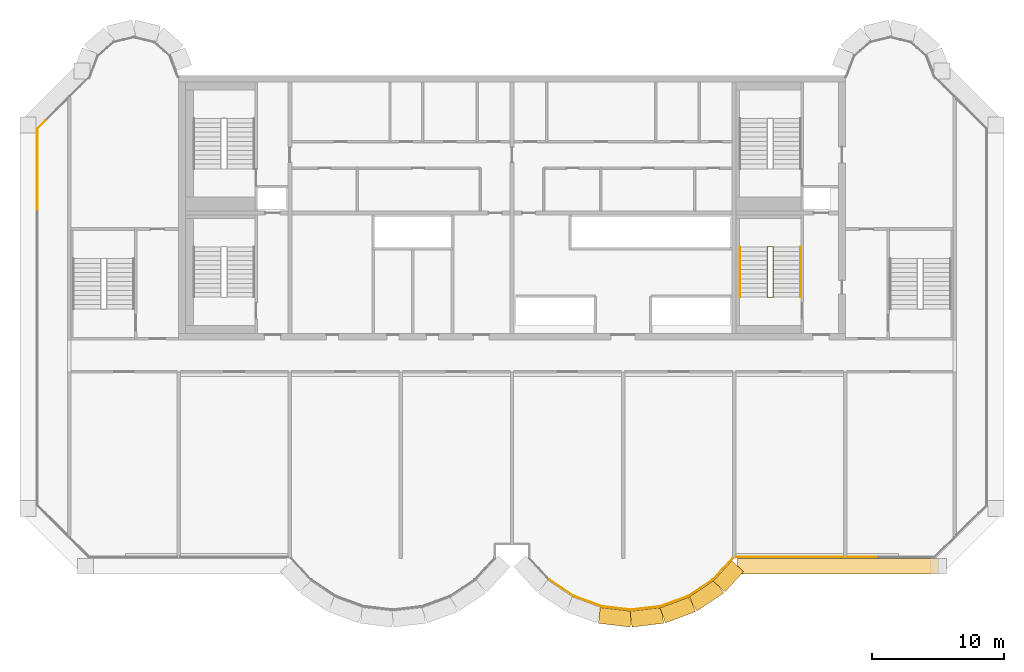
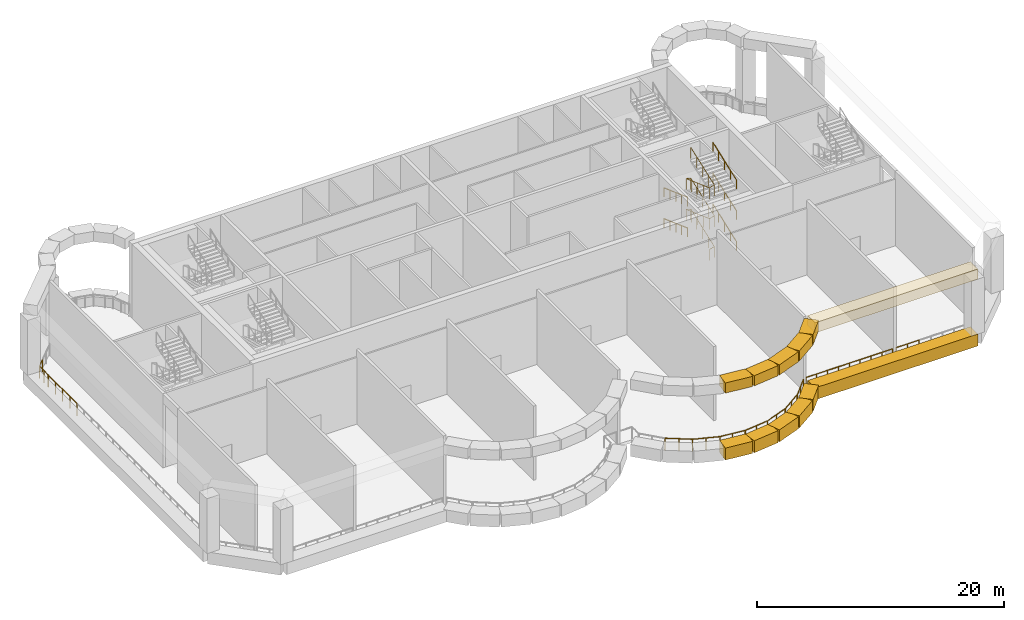
# One storey, part 8 of 11: 21 railings, 12 coverings.
"""IFC4 building model written with IfcOpenShell, lengths in metres."""

from ifc_helpers import new_model, si_unit, direction, frame, origin, origin_2d, place, context, subcontext, project, spatial, rectangle, circle, extrude, source, transform, mapped, material, type_object, element, save


model = new_model("IFC4")

# Units and contexts
model_context = context("Model", 3, precision=1e-05, world=origin(), true_north=direction((0.0, 1.0)))
body_context = subcontext(model_context, "Body", "Model", "MODEL_VIEW")
ifc_project = project(units=[si_unit("LENGTHUNIT", "METRE"), si_unit("AREAUNIT", "SQUARE_METRE"), si_unit("VOLUMEUNIT", "CUBIC_METRE"), si_unit("PLANEANGLEUNIT", "RADIAN"), si_unit("MASSUNIT", "GRAM", prefix="KILO")], contexts=[model_context])

# Site, building, storey
site_placement = place(None, origin())
site = spatial("IfcSite", under=ifc_project, at=site_placement, CompositionType="ELEMENT")
building_placement = place(site_placement, origin())
building = spatial("IfcBuilding", under=site, at=building_placement, Name="Vanashikhar Sky Hotel", CompositionType="ELEMENT")
storey_placement = place(building_placement, frame((0.0, 0.0, 270.10009765625)))
storey = spatial("IfcBuildingStorey", under=building, at=storey_placement, Name="L65", CompositionType="ELEMENT", Elevation=270.10009765625)

# Coverings
ifc_material_1 = material(Name="Concrete M60 dark", Category="concrete")
covering_type = type_object("IfcCoveringType", Name="Wind floor portal frame", PredefinedType="CLADDING", material=ifc_material_1)
shared_shape_1 = source(origin(), body_context, "Body", "SweptSolid", [
    extrude(rectangle(XDim=15.184326171875, YDim=1.199951171875, at=origin_2d()), origin(), (0.0, 0.0, 1.0), 1.0),
])
covering_1_placement = place(storey_placement, frame((75.056396484375, 4.89990234375, 6.31982421875), z_axis=(0.0, 0.0, 1.0), x_axis=(1.0, 0.0, 0.0)))
element("IfcCovering", 1, at=covering_1_placement, inside=storey, type_object=covering_type, Name="Portal frame head", PredefinedType="CLADDING", context=body_context, shape_type="MappedRepresentation", body=[
    mapped(shared_shape_1, transform((0.0, 0.0, 0.0), scale=1.0)),
])
shared_shape_2 = source(origin(), body_context, "Body", "SweptSolid", [
    extrude(rectangle(XDim=15.184326171875, YDim=1.199951171875, at=origin_2d()), origin(), (0.0, 0.0, 1.0), 1.179931640625),
])
covering_2_placement = place(storey_placement, frame((75.056396484375, 4.89990234375, -0.2802734375), z_axis=(0.0, 0.0, 1.0), x_axis=(1.0, 0.0, 0.0)))
element("IfcCovering", 2, at=covering_2_placement, inside=storey, type_object=covering_type, Name="Portal frame sill", PredefinedType="CLADDING", context=body_context, shape_type="MappedRepresentation", body=[
    mapped(shared_shape_2, transform((0.0, 0.0, 0.0), scale=1.0)),
])
shared_shape_3 = source(origin(), body_context, "Body", "SweptSolid", [
    extrude(rectangle(XDim=2.0771484375, YDim=1.199951171875, at=origin_2d()), origin(), (0.0, 0.0, 1.0), 1.0),
])
covering_3_placement = place(storey_placement, frame((66.7626953125, 4.134033203125, 6.31982421875), z_axis=(0.0, 0.0, 1.0), x_axis=(0.67534568005, 0.737501330465, 0.0)))
element("IfcCovering", 3, at=covering_3_placement, inside=storey, type_object=covering_type, Name="Portal frame head", PredefinedType="CLADDING", context=body_context, shape_type="MappedRepresentation", body=[
    mapped(shared_shape_3, transform((0.0, 0.0, 0.0), scale=1.0)),
])
shared_shape_4 = source(origin(), body_context, "Body", "SweptSolid", [
    extrude(rectangle(XDim=2.0771484375, YDim=1.199951171875, at=origin_2d()), origin(), (0.0, 0.0, 1.0), 1.179931640625),
])
covering_4_placement = place(storey_placement, frame((66.7626953125, 4.134033203125, -0.2802734375), z_axis=(0.0, 0.0, 1.0), x_axis=(0.67534568005, 0.737501330465, 0.0)))
element("IfcCovering", 4, at=covering_4_placement, inside=storey, type_object=covering_type, Name="Portal frame sill", PredefinedType="CLADDING", context=body_context, shape_type="MappedRepresentation", body=[
    mapped(shared_shape_4, transform((0.0, 0.0, 0.0), scale=1.0)),
])
shared_shape_5 = source(origin(), body_context, "Body", "SweptSolid", [
    extrude(rectangle(XDim=2.413818359375, YDim=1.199951171875, at=origin_2d()), origin(), (0.0, 0.0, 1.0), 1.0),
])
for number, where, z_axis, x_axis, name in (
    (5, (62.92724609375, 1.6005859375, 6.31982421875), (0.0, 0.0, 1.0), (0.937531182424, 0.347901253208, 0.0), "Portal frame head"),
    (6, (65.06005859375, 2.694091796875, 6.31982421875), (0.0, 0.0, 1.0), (0.829603213612, 0.558353389857, 0.0), "Portal frame head"),
):
    element("IfcCovering", number, at=place(storey_placement, frame(where, z_axis=z_axis, x_axis=x_axis)), inside=storey, type_object=covering_type, Name=name, PredefinedType="CLADDING", context=body_context, shape_type="MappedRepresentation", body=[
        mapped(shared_shape_5, transform((0.0, 0.0, 0.0), scale=1.0)),
    ])
shared_shape_6 = source(origin(), body_context, "Body", "SweptSolid", [
    extrude(rectangle(XDim=2.413818359375, YDim=1.199951171875, at=origin_2d()), origin(), (0.0, 0.0, 1.0), 1.179931640625),
])
for number, where, z_axis, x_axis, name in (
    (7, (62.92724609375, 1.6005859375, -0.2802734375), (0.0, 0.0, 1.0), (0.937531182424, 0.347901253208, 0.0), "Portal frame sill"),
    (8, (65.06005859375, 2.694091796875, -0.2802734375), (0.0, 0.0, 1.0), (0.829603213612, 0.558353389857, 0.0), "Portal frame sill"),
):
    element("IfcCovering", number, at=place(storey_placement, frame(where, z_axis=z_axis, x_axis=x_axis)), inside=storey, type_object=covering_type, Name=name, PredefinedType="CLADDING", context=body_context, shape_type="MappedRepresentation", body=[
        mapped(shared_shape_6, transform((0.0, 0.0, 0.0), scale=1.0)),
    ])
shared_shape_7 = source(origin(), body_context, "Body", "SweptSolid", [
    extrude(rectangle(XDim=2.41259765625, YDim=1.199951171875, at=origin_2d()), origin(), (0.0, 0.0, 1.0), 1.0),
])
for number, where, z_axis, x_axis, name in (
    (9, (58.2021484375, 1.0380859375, 6.31982421875), (0.0, 0.0, 1.0), (0.993008838731, -0.118040019495, 0.0), "Portal frame head"),
    (10, (60.597900390625, 1.0380859375, 6.31982421875), (0.0, 0.0, 1.0), (0.993008838731, 0.118040019495, 0.0), "Portal frame head"),
):
    element("IfcCovering", number, at=place(storey_placement, frame(where, z_axis=z_axis, x_axis=x_axis)), inside=storey, type_object=covering_type, Name=name, PredefinedType="CLADDING", context=body_context, shape_type="MappedRepresentation", body=[
        mapped(shared_shape_7, transform((0.0, 0.0, 0.0), scale=1.0)),
    ])
shared_shape_8 = source(origin(), body_context, "Body", "SweptSolid", [
    extrude(rectangle(XDim=2.41259765625, YDim=1.199951171875, at=origin_2d()), origin(), (0.0, 0.0, 1.0), 1.179931640625),
])
for number, where, z_axis, x_axis, name in (
    (11, (58.2021484375, 1.0380859375, -0.2802734375), (0.0, 0.0, 1.0), (0.993008838731, -0.118040019495, 0.0), "Portal frame sill"),
    (12, (60.597900390625, 1.0380859375, -0.2802734375), (0.0, 0.0, 1.0), (0.993008838731, 0.118040019495, 0.0), "Portal frame sill"),
):
    element("IfcCovering", number, at=place(storey_placement, frame(where, z_axis=z_axis, x_axis=x_axis)), inside=storey, type_object=covering_type, Name=name, PredefinedType="CLADDING", context=body_context, shape_type="MappedRepresentation", body=[
        mapped(shared_shape_8, transform((0.0, 0.0, 0.0), scale=1.0)),
    ])

# Railings
ifc_material_2 = material(Name="Stainless steel 316", Category="steel")
railing_type_1 = type_object("IfcRailingType", Name="Open edge guard 1200", PredefinedType="GUARDRAIL", material=ifc_material_2)
shared_shape_9 = source(origin(), body_context, "Body", "SweptSolid", [
    extrude(circle(Radius=0.02392578125, at=origin_2d()), frame((0.0, 0.0, 1.17578125), z_axis=(0.0, 1.0, 0.0), x_axis=(-1.0, 0.0, 0.0)), (0.0, 0.0, 1.0), 2.324462890625),
    extrude(circle(Radius=0.02099609375, at=origin_2d()), origin(), (0.0, 0.0, 1.0), 1.15185546875),
    extrude(circle(Radius=0.02099609375, at=origin_2d()), frame((0.0, 1.162109375, 0.0)), (0.0, 0.0, 1.0), 1.15185546875),
    extrude(circle(Radius=0.02099609375, at=origin_2d()), frame((0.0, 2.324462890625, 0.0)), (0.0, 0.0, 1.0), 1.15185546875),
])
railing_1_placement = place(storey_placement, frame((14.5, 34.209716796875, 0.0)))
element("IfcRailing", 13, at=railing_1_placement, inside=storey, type_object=railing_type_1, Name="Open edge guard", PredefinedType="GUARDRAIL", context=body_context, shape_type="MappedRepresentation", body=[
    mapped(shared_shape_9, transform((0.0, 0.0, 0.0), scale=1.0)),
])
shared_shape_10 = source(origin(), body_context, "Body", "SweptSolid", [
    extrude(circle(Radius=0.02392578125, at=origin_2d()), frame((0.0, 0.0, 1.17578125), z_axis=(0.0, 1.0, 0.0), x_axis=(-1.0, 0.0, 0.0)), (0.0, 0.0, 1.0), 2.32421875),
    extrude(circle(Radius=0.02099609375, at=origin_2d()), origin(), (0.0, 0.0, 1.0), 1.15185546875),
    extrude(circle(Radius=0.02099609375, at=origin_2d()), frame((0.0, 1.162109375, 0.0)), (0.0, 0.0, 1.0), 1.15185546875),
    extrude(circle(Radius=0.02099609375, at=origin_2d()), frame((0.0, 2.32421875, 0.0)), (0.0, 0.0, 1.0), 1.15185546875),
])
railing_2_placement = place(storey_placement, frame((14.5, 31.885498046875, 0.0)))
element("IfcRailing", 14, at=railing_2_placement, inside=storey, type_object=railing_type_1, Name="Open edge guard", PredefinedType="GUARDRAIL", context=body_context, shape_type="MappedRepresentation", body=[
    mapped(shared_shape_10, transform((0.0, 0.0, 0.0), scale=1.0)),
])
shared_shape_11 = source(origin(), body_context, "Body", "SweptSolid", [
    extrude(circle(Radius=0.02392578125, at=origin_2d()), frame((0.0, 0.0, 1.17578125), z_axis=(0.0, 1.0, 0.0), x_axis=(-1.0, 0.0, 0.0)), (0.0, 0.0, 1.0), 1.42431640625),
    extrude(circle(Radius=0.02392578125, at=origin_2d()), frame((0.0, 1.42431640625, 1.17578125), z_axis=(0.707106781187, 0.707106781187, 0.0), x_axis=(-0.707106781187, 0.707106781187, 0.0)), (0.0, 0.0, 1.0), 0.900146484375),
    extrude(circle(Radius=0.02099609375, at=origin_2d()), origin(), (0.0, 0.0, 1.0), 1.15185546875),
    extrude(circle(Radius=0.02099609375, at=origin_2d()), frame((0.0, 0.712158203125, 0.0)), (0.0, 0.0, 1.0), 1.15185546875),
    extrude(circle(Radius=0.02099609375, at=origin_2d()), frame((0.0, 1.42431640625, 0.0)), (0.0, 0.0, 1.0), 1.15185546875),
    extrude(circle(Radius=0.02099609375, at=origin_2d()), frame((0.636474609375, 2.060791015625, 0.0)), (0.0, 0.0, 1.0), 1.15185546875),
])
railing_3_placement = place(storey_placement, frame((14.5, 36.5341796875, 0.0)))
element("IfcRailing", 15, at=railing_3_placement, inside=storey, type_object=railing_type_1, Name="Open edge guard", PredefinedType="GUARDRAIL", context=body_context, shape_type="MappedRepresentation", body=[
    mapped(shared_shape_11, transform((0.0, 0.0, 0.0), scale=1.0)),
])
shared_shape_12 = source(origin(), body_context, "Body", "SweptSolid", [
    extrude(circle(Radius=0.02392578125, at=origin_2d()), frame((0.0, 0.0, 1.17578125), z_axis=(-1.0, 0.0, 0.0), x_axis=(0.0, -1.0, 0.0)), (0.0, 0.0, 1.0), 2.176513671875),
    extrude(circle(Radius=0.02099609375, at=origin_2d()), origin(), (0.0, 0.0, 1.0), 1.15185546875),
    extrude(circle(Radius=0.02099609375, at=origin_2d()), frame((-1.08837890625, 0.0, 0.0)), (0.0, 0.0, 1.0), 1.15185546875),
    extrude(circle(Radius=0.02099609375, at=origin_2d()), frame((-2.176513671875, 0.0, 0.0)), (0.0, 0.0, 1.0), 1.15185546875),
])
railing_4_placement = place(storey_placement, frame((77.921630859375, 5.60009765625, 0.0)))
element("IfcRailing", 16, at=railing_4_placement, inside=storey, type_object=railing_type_1, Name="Open edge guard", PredefinedType="GUARDRAIL", context=body_context, shape_type="MappedRepresentation", body=[
    mapped(shared_shape_12, transform((0.0, 0.0, 0.0), scale=1.0)),
])
shared_shape_13 = source(origin(), body_context, "Body", "SweptSolid", [
    extrude(circle(Radius=0.02392578125, at=origin_2d()), frame((0.0, 0.0, 1.17578125), z_axis=(-1.0, 0.0, 0.0), x_axis=(0.0, -1.0, 0.0)), (0.0, 0.0, 1.0), 2.027587890625),
    extrude(circle(Radius=0.02099609375, at=origin_2d()), origin(), (0.0, 0.0, 1.0), 1.15185546875),
    extrude(circle(Radius=0.02099609375, at=origin_2d()), frame((-1.013671875, 0.0, 0.0)), (0.0, 0.0, 1.0), 1.15185546875),
    extrude(circle(Radius=0.02099609375, at=origin_2d()), frame((-2.027587890625, 0.0, 0.0)), (0.0, 0.0, 1.0), 1.15185546875),
])
for number, where, name in (
    (17, (75.455078125, 5.60009765625, 0.0), "Open edge guard"),
    (18, (73.427490234375, 5.60009765625, 0.0), "Open edge guard"),
    (19, (69.37255859375, 5.60009765625, 0.0), "Open edge guard"),
):
    element("IfcRailing", number, at=place(storey_placement, frame(where)), inside=storey, type_object=railing_type_1, Name=name, PredefinedType="GUARDRAIL", context=body_context, shape_type="MappedRepresentation", body=[
        mapped(shared_shape_13, transform((0.0, 0.0, 0.0), scale=1.0)),
    ])
shared_shape_14 = source(origin(), body_context, "Body", "SweptSolid", [
    extrude(circle(Radius=0.02392578125, at=origin_2d()), frame((0.0, 0.0, 1.17578125), z_axis=(-1.0, 0.0, 0.0), x_axis=(0.0, -1.0, 0.0)), (0.0, 0.0, 1.0), 2.02734375),
    extrude(circle(Radius=0.02099609375, at=origin_2d()), origin(), (0.0, 0.0, 1.0), 1.15185546875),
    extrude(circle(Radius=0.02099609375, at=origin_2d()), frame((-1.013671875, 0.0, 0.0)), (0.0, 0.0, 1.0), 1.15185546875),
    extrude(circle(Radius=0.02099609375, at=origin_2d()), frame((-2.02734375, 0.0, 0.0)), (0.0, 0.0, 1.0), 1.15185546875),
])
railing_5_placement = place(storey_placement, frame((71.39990234375, 5.60009765625, 0.0)))
element("IfcRailing", 20, at=railing_5_placement, inside=storey, type_object=railing_type_1, Name="Open edge guard", PredefinedType="GUARDRAIL", context=body_context, shape_type="MappedRepresentation", body=[
    mapped(shared_shape_14, transform((0.0, 0.0, 0.0), scale=1.0)),
])
shared_shape_15 = source(origin(), body_context, "Body", "SweptSolid", [
    extrude(circle(Radius=0.02392578125, at=origin_2d()), frame((0.0, 0.0, 1.17578125), z_axis=(-0.675385994332, -0.737464411792, 0.0), x_axis=(0.737464411792, -0.675385994332, 0.0)), (0.0, 0.0, 1.0), 2.1552734375),
    extrude(circle(Radius=0.02392578125, at=origin_2d()), frame((-1.45556640625, -1.58935546875, 1.17578125), z_axis=(-0.830543991919, -0.556953029875, 0.0), x_axis=(0.556953029875, -0.830543991919, 0.0)), (0.0, 0.0, 1.0), 0.074951171875),
    extrude(circle(Radius=0.02099609375, at=origin_2d()), origin(), (0.0, 0.0, 1.0), 1.15185546875),
    extrude(circle(Radius=0.02099609375, at=origin_2d()), frame((-0.727783203125, -0.794677734375, 0.0)), (0.0, 0.0, 1.0), 1.15185546875),
    extrude(circle(Radius=0.02099609375, at=origin_2d()), frame((-1.45556640625, -1.58935546875, 0.0)), (0.0, 0.0, 1.0), 1.15185546875),
    extrude(circle(Radius=0.02099609375, at=origin_2d()), frame((-1.517822265625, -1.631103515625, 0.0)), (0.0, 0.0, 1.0), 1.15185546875),
])
railing_6_placement = place(storey_placement, frame((67.056884765625, 5.49169921875, 0.0)))
element("IfcRailing", 21, at=railing_6_placement, inside=storey, type_object=railing_type_1, Name="Open edge guard", PredefinedType="GUARDRAIL", context=body_context, shape_type="MappedRepresentation", body=[
    mapped(shared_shape_15, transform((0.0, 0.0, 0.0), scale=1.0)),
])
shared_shape_16 = source(origin(), body_context, "Body", "SweptSolid", [
    extrude(circle(Radius=0.02392578125, at=origin_2d()), frame((0.0, 0.0, 1.17578125), z_axis=(-0.829586746391, -0.558377856127, 0.0), x_axis=(0.558377856127, -0.829586746391, 0.0)), (0.0, 0.0, 1.0), 2.172119140625),
    extrude(circle(Radius=0.02392578125, at=origin_2d()), frame((-1.802001953125, -1.212890625, 1.17578125), z_axis=(-0.936675509308, -0.350198501228, 0.0), x_axis=(0.350198501228, -0.936675509308, 0.0)), (0.0, 0.0, 1.0), 0.057861328125),
    extrude(circle(Radius=0.02099609375, at=origin_2d()), origin(), (0.0, 0.0, 1.0), 1.15185546875),
    extrude(circle(Radius=0.02099609375, at=origin_2d()), frame((-0.90087890625, -0.6064453125, 0.0)), (0.0, 0.0, 1.0), 1.15185546875),
    extrude(circle(Radius=0.02099609375, at=origin_2d()), frame((-1.802001953125, -1.212890625, 0.0)), (0.0, 0.0, 1.0), 1.15185546875),
    extrude(circle(Radius=0.02099609375, at=origin_2d()), frame((-1.856201171875, -1.233154296875, 0.0)), (0.0, 0.0, 1.0), 1.15185546875),
])
railing_7_placement = place(storey_placement, frame((65.5390625, 3.860595703125, 0.0)))
element("IfcRailing", 22, at=railing_7_placement, inside=storey, type_object=railing_type_1, Name="Open edge guard", PredefinedType="GUARDRAIL", context=body_context, shape_type="MappedRepresentation", body=[
    mapped(shared_shape_16, transform((0.0, 0.0, 0.0), scale=1.0)),
])
shared_shape_17 = source(origin(), body_context, "Body", "SweptSolid", [
    extrude(circle(Radius=0.02392578125, at=origin_2d()), frame((0.0, 0.0, 1.17578125), z_axis=(-0.937556246684, -0.347833702082, 0.0), x_axis=(0.347833702082, -0.937556246684, 0.0)), (0.0, 0.0, 1.0), 2.189208984375),
    extrude(circle(Radius=0.02392578125, at=origin_2d()), frame((-2.052490234375, -0.761474609375, 1.17578125), z_axis=(-0.992904944271, -0.118910771769, 0.0), x_axis=(0.118910771769, -0.992904944271, 0.0)), (0.0, 0.0, 1.0), 0.041015625),
    extrude(circle(Radius=0.02099609375, at=origin_2d()), origin(), (0.0, 0.0, 1.0), 1.15185546875),
    extrude(circle(Radius=0.02099609375, at=origin_2d()), frame((-1.0263671875, -0.380859375, 0.0)), (0.0, 0.0, 1.0), 1.15185546875),
    extrude(circle(Radius=0.02099609375, at=origin_2d()), frame((-2.052490234375, -0.761474609375, 0.0)), (0.0, 0.0, 1.0), 1.15185546875),
    extrude(circle(Radius=0.02099609375, at=origin_2d()), frame((-2.09326171875, -0.766357421875, 0.0)), (0.0, 0.0, 1.0), 1.15185546875),
])
railing_8_placement = place(storey_placement, frame((63.682861328125, 2.62744140625, 0.0)))
element("IfcRailing", 23, at=railing_8_placement, inside=storey, type_object=railing_type_1, Name="Open edge guard", PredefinedType="GUARDRAIL", context=body_context, shape_type="MappedRepresentation", body=[
    mapped(shared_shape_17, transform((0.0, 0.0, 0.0), scale=1.0)),
])
shared_shape_18 = source(origin(), body_context, "Body", "SweptSolid", [
    extrude(circle(Radius=0.02392578125, at=origin_2d()), frame((0.0, 0.0, 1.17578125), z_axis=(-0.99299786329, -0.118132313539, 0.0), x_axis=(0.118132313539, -0.99299786329, 0.0)), (0.0, 0.0, 1.0), 2.205078125),
    extrude(circle(Radius=0.02392578125, at=origin_2d()), frame((-2.189697265625, -0.260498046875, 1.17578125), z_axis=(-0.991818022317, 0.127659745447, 0.0), x_axis=(-0.127659745447, -0.991818022317, 0.0)), (0.0, 0.0, 1.0), 0.02490234375),
    extrude(circle(Radius=0.02099609375, at=origin_2d()), origin(), (0.0, 0.0, 1.0), 1.15185546875),
    extrude(circle(Radius=0.02099609375, at=origin_2d()), frame((-1.0947265625, -0.13037109375, 0.0)), (0.0, 0.0, 1.0), 1.15185546875),
    extrude(circle(Radius=0.02099609375, at=origin_2d()), frame((-2.189697265625, -0.260498046875, 0.0)), (0.0, 0.0, 1.0), 1.15185546875),
    extrude(circle(Radius=0.02099609375, at=origin_2d()), frame((-2.21435546875, -0.25732421875, 0.0)), (0.0, 0.0, 1.0), 1.15185546875),
])
railing_9_placement = place(storey_placement, frame((61.589599609375, 1.861083984375, 0.0)))
element("IfcRailing", 24, at=railing_9_placement, inside=storey, type_object=railing_type_1, Name="Open edge guard", PredefinedType="GUARDRAIL", context=body_context, shape_type="MappedRepresentation", body=[
    mapped(shared_shape_18, transform((0.0, 0.0, 0.0), scale=1.0)),
])
shared_shape_19 = source(origin(), body_context, "Body", "SweptSolid", [
    extrude(circle(Radius=0.02392578125, at=origin_2d()), frame((0.0, 0.0, 1.17578125), z_axis=(-0.99300730818, 0.118052894508, 0.0), x_axis=(-0.118052894508, -0.99300730818, 0.0)), (0.0, 0.0, 1.0), 2.22119140625),
    extrude(circle(Radius=0.02392578125, at=origin_2d()), frame((-2.20556640625, 0.26220703125, 1.17578125), z_axis=(-0.945945945946, 0.324324324324, 0.0), x_axis=(-0.324324324324, -0.945945945946, 0.0)), (0.0, 0.0, 1.0), 0.009033203125),
    extrude(circle(Radius=0.02099609375, at=origin_2d()), origin(), (0.0, 0.0, 1.0), 1.15185546875),
    extrude(circle(Radius=0.02099609375, at=origin_2d()), frame((-1.102783203125, 0.131103515625, 0.0)), (0.0, 0.0, 1.0), 1.15185546875),
    extrude(circle(Radius=0.02099609375, at=origin_2d()), frame((-2.20556640625, 0.26220703125, 0.0)), (0.0, 0.0, 1.0), 1.15185546875),
    extrude(circle(Radius=0.02099609375, at=origin_2d()), frame((-2.214111328125, 0.26513671875, 0.0)), (0.0, 0.0, 1.0), 1.15185546875),
])
railing_10_placement = place(storey_placement, frame((59.375244140625, 1.603759765625, 0.0)))
element("IfcRailing", 25, at=railing_10_placement, inside=storey, type_object=railing_type_1, Name="Open edge guard", PredefinedType="GUARDRAIL", context=body_context, shape_type="MappedRepresentation", body=[
    mapped(shared_shape_19, transform((0.0, 0.0, 0.0), scale=1.0)),
])
shared_shape_20 = source(origin(), body_context, "Body", "SweptSolid", [
    extrude(circle(Radius=0.02392578125, at=origin_2d()), frame((0.0, 0.0, 1.17578125), z_axis=(-0.937493652498, 0.348002372874, 0.0), x_axis=(-0.348002372874, -0.937493652498, 0.0)), (0.0, 0.0, 1.0), 2.230224609375),
    extrude(circle(Radius=0.02099609375, at=origin_2d()), origin(), (0.0, 0.0, 1.0), 1.15185546875),
    extrude(circle(Radius=0.02099609375, at=origin_2d()), frame((-1.04541015625, 0.38818359375, 0.0)), (0.0, 0.0, 1.0), 1.15185546875),
    extrude(circle(Radius=0.02099609375, at=origin_2d()), frame((-2.0908203125, 0.776123046875, 0.0)), (0.0, 0.0, 1.0), 1.15185546875),
])
railing_11_placement = place(storey_placement, frame((57.1611328125, 1.868896484375, 0.0)))
element("IfcRailing", 26, at=railing_11_placement, inside=storey, type_object=railing_type_1, Name="Open edge guard", PredefinedType="GUARDRAIL", context=body_context, shape_type="MappedRepresentation", body=[
    mapped(shared_shape_20, transform((0.0, 0.0, 0.0), scale=1.0)),
])
shared_shape_21 = source(origin(), body_context, "Body", "SweptSolid", [
    extrude(circle(Radius=0.02392578125, at=origin_2d()), frame((0.0, 0.0, 1.17578125), z_axis=(-0.938876315887, 0.344254649158, 0.0), x_axis=(-0.344254649158, -0.938876315887, 0.0)), (0.0, 0.0, 1.0), 0.0078125),
    extrude(circle(Radius=0.02392578125, at=origin_2d()), frame((-0.00732421875, 0.002685546875, 1.17578125), z_axis=(-0.829608299996, 0.558345832417, 0.0), x_axis=(-0.558345832417, -0.829608299996, 0.0)), (0.0, 0.0, 1.0), 2.22216796875),
    extrude(circle(Radius=0.02099609375, at=origin_2d()), origin(), (0.0, 0.0, 1.0), 1.15185546875),
    extrude(circle(Radius=0.02099609375, at=origin_2d()), frame((-0.00732421875, 0.002685546875, 0.0)), (0.0, 0.0, 1.0), 1.15185546875),
    extrude(circle(Radius=0.02099609375, at=origin_2d()), frame((-0.92919921875, 0.623046875, 0.0)), (0.0, 0.0, 1.0), 1.15185546875),
    extrude(circle(Radius=0.02099609375, at=origin_2d()), frame((-1.850830078125, 1.243408203125, 0.0)), (0.0, 0.0, 1.0), 1.15185546875),
])
railing_12_placement = place(storey_placement, frame((55.0703125, 2.64501953125, 0.0)))
element("IfcRailing", 27, at=railing_12_placement, inside=storey, type_object=railing_type_1, Name="Open edge guard", PredefinedType="GUARDRAIL", context=body_context, shape_type="MappedRepresentation", body=[
    mapped(shared_shape_21, transform((0.0, 0.0, 0.0), scale=1.0)),
])
ifc_material_3 = material(Name="Steel S355", Category="steel")
railing_type_2 = type_object("IfcRailingType", Name="Stair handrail 900", PredefinedType="HANDRAIL", material=ifc_material_3)
shared_shape_22 = source(origin(), body_context, "Body", "SweptSolid", [
    extrude(circle(Radius=0.02392578125, at=origin_2d()), frame((0.0, 0.0, 0.8759765625), z_axis=(0.0, -0.938879565204, 0.344245787255), x_axis=(1.0, 0.0, 0.0)), (0.0, 0.0, 1.0), 4.04736328125),
    extrude(circle(Radius=0.02099609375, at=origin_2d()), origin(), (0.0, 0.0, 1.0), 0.851806640625),
    extrude(circle(Radius=0.02099609375, at=origin_2d()), frame((0.0, -0.949951171875, 0.348388671875)), (0.0, 0.0, 1.0), 0.851806640625),
    extrude(circle(Radius=0.02099609375, at=origin_2d()), frame((0.0, -1.89990234375, 0.69677734375)), (0.0, 0.0, 1.0), 0.851806640625),
    extrude(circle(Radius=0.02099609375, at=origin_2d()), frame((0.0, -2.85009765625, 1.044921875)), (0.0, 0.0, 1.0), 0.851806640625),
    extrude(circle(Radius=0.02099609375, at=origin_2d()), frame((0.0, -3.800048828125, 1.393310546875)), (0.0, 0.0, 1.0), 0.851806640625),
])
for number, where, name in (
    (28, (67.64990234375, 29.050048828125, 1.646484375), "Exit stair 2 handrail"),
    (29, (67.64990234375, 29.050048828125, 4.6865234375), "Exit stair 2 handrail"),
):
    element("IfcRailing", number, at=place(storey_placement, frame(where)), inside=storey, type_object=railing_type_2, Name=name, PredefinedType="HANDRAIL", context=body_context, shape_type="MappedRepresentation", body=[
        mapped(shared_shape_22, transform((0.0, 0.0, 0.0), scale=1.0)),
    ])
shared_shape_23 = source(origin(), body_context, "Body", "SweptSolid", [
    extrude(circle(Radius=0.02392578125, at=origin_2d()), frame((0.0, 0.0, 0.8759765625), z_axis=(0.0, 0.938879565204, 0.344245787255), x_axis=(-1.0, 0.0, 0.0)), (0.0, 0.0, 1.0), 4.04736328125),
    extrude(circle(Radius=0.02099609375, at=origin_2d()), origin(), (0.0, 0.0, 1.0), 0.851806640625),
    extrude(circle(Radius=0.02099609375, at=origin_2d()), frame((0.0, 0.949951171875, 0.348388671875)), (0.0, 0.0, 1.0), 0.851806640625),
    extrude(circle(Radius=0.02099609375, at=origin_2d()), frame((0.0, 1.89990234375, 0.69677734375)), (0.0, 0.0, 1.0), 0.851806640625),
    extrude(circle(Radius=0.02099609375, at=origin_2d()), frame((0.0, 2.85009765625, 1.044921875)), (0.0, 0.0, 1.0), 0.851806640625),
    extrude(circle(Radius=0.02099609375, at=origin_2d()), frame((0.0, 3.800048828125, 1.393310546875)), (0.0, 0.0, 1.0), 0.851806640625),
])
for number, where, name in (
    (30, (72.199951171875, 25.25, 3.16650390625), "Exit stair 2 handrail"),
    (31, (72.199951171875, 25.25, 6.20654296875), "Exit stair 2 handrail"),
):
    element("IfcRailing", number, at=place(storey_placement, frame(where)), inside=storey, type_object=railing_type_2, Name=name, PredefinedType="HANDRAIL", context=body_context, shape_type="MappedRepresentation", body=[
        mapped(shared_shape_23, transform((0.0, 0.0, 0.0), scale=1.0)),
    ])
shared_shape_24 = source(origin(), body_context, "Body", "SweptSolid", [
    extrude(circle(Radius=0.02392578125, at=origin_2d()), frame((0.0, 0.0, 0.8759765625), z_axis=(0.0, 0.938860068383, 0.344298957297), x_axis=(-1.0, 0.0, 0.0)), (0.0, 0.0, 1.0), 4.047607421875),
    extrude(circle(Radius=0.02099609375, at=origin_2d()), origin(), (0.0, 0.0, 1.0), 0.851806640625),
    extrude(circle(Radius=0.02099609375, at=origin_2d()), frame((0.0, 0.949951171875, 0.348388671875)), (0.0, 0.0, 1.0), 0.851806640625),
    extrude(circle(Radius=0.02099609375, at=origin_2d()), frame((0.0, 1.89990234375, 0.69677734375)), (0.0, 0.0, 1.0), 0.851806640625),
    extrude(circle(Radius=0.02099609375, at=origin_2d()), frame((0.0, 2.85009765625, 1.045166015625)), (0.0, 0.0, 1.0), 0.851806640625),
    extrude(circle(Radius=0.02099609375, at=origin_2d()), frame((0.0, 3.800048828125, 1.3935546875)), (0.0, 0.0, 1.0), 0.851806640625),
])
railing_13_placement = place(storey_placement, frame((72.199951171875, 25.25, 0.12646484375)))
element("IfcRailing", 32, at=railing_13_placement, inside=storey, type_object=railing_type_2, Name="Exit stair 2 handrail", PredefinedType="HANDRAIL", context=body_context, shape_type="MappedRepresentation", body=[
    mapped(shared_shape_24, transform((0.0, 0.0, 0.0), scale=1.0)),
])
railing_type_3 = type_object("IfcRailingType", Name="Stair guard 1100", PredefinedType="GUARDRAIL", material=ifc_material_3)
shared_shape_25 = source(origin(), body_context, "Body", "SweptSolid", [
    extrude(circle(Radius=0.02392578125, at=origin_2d()), frame((0.0, 0.0, 1.076171875), z_axis=(0.962697724876, 0.0, 0.270579176064), x_axis=(0.0, 1.0, 0.0)), (0.0, 0.0, 1.0), 0.46728515625),
    extrude(circle(Radius=0.02392578125, at=origin_2d()), frame((0.449951171875, 0.0, 1.20263671875), z_axis=(0.0, 0.938860068383, 0.344298957297), x_axis=(-1.0, 0.0, 0.0)), (0.0, 0.0, 1.0), 4.047607421875),
    extrude(circle(Radius=0.02392578125, at=origin_2d()), frame((0.449951171875, 3.800048828125, 2.59619140625), z_axis=(-0.962697724876, 0.0, 0.270579176064), x_axis=(0.0, -1.0, 0.0)), (0.0, 0.0, 1.0), 0.46728515625),
    extrude(circle(Radius=0.02392578125, at=origin_2d()), frame((0.0, 3.800048828125, 2.72265625), z_axis=(0.0, -0.938879565204, 0.344245787255), x_axis=(1.0, 0.0, 0.0)), (0.0, 0.0, 1.0), 4.04736328125),
    extrude(circle(Radius=0.02392578125, at=origin_2d()), frame((0.0, 0.0, 4.11572265625), z_axis=(0.962561556651, 0.0, 0.271063183886), x_axis=(0.0, 1.0, 0.0)), (0.0, 0.0, 1.0), 0.467529296875),
    extrude(circle(Radius=0.02392578125, at=origin_2d()), frame((0.449951171875, 0.0, 4.24267578125), z_axis=(0.0, 0.938879565204, 0.344245787255), x_axis=(-1.0, 0.0, 0.0)), (0.0, 0.0, 1.0), 4.04736328125),
    extrude(circle(Radius=0.02392578125, at=origin_2d()), frame((0.449951171875, 3.800048828125, 5.6357421875), z_axis=(-0.962561556651, 0.0, 0.271063183886), x_axis=(0.0, -1.0, 0.0)), (0.0, 0.0, 1.0), 0.467529296875),
    extrude(circle(Radius=0.02392578125, at=origin_2d()), frame((0.0, 3.800048828125, 5.7626953125), z_axis=(0.0, -0.938879565204, 0.344245787255), x_axis=(1.0, 0.0, 0.0)), (0.0, 0.0, 1.0), 4.04736328125),
    extrude(circle(Radius=0.02392578125, at=origin_2d()), frame((0.0, 0.0, 7.15576171875), z_axis=(0.962561556651, 0.0, 0.271063183886), x_axis=(0.0, 1.0, 0.0)), (0.0, 0.0, 1.0), 0.467529296875),
    extrude(circle(Radius=0.02392578125, at=origin_2d()), frame((0.449951171875, 0.0, 7.28271484375), z_axis=(0.0, 0.938879565204, 0.344245787255), x_axis=(-1.0, 0.0, 0.0)), (0.0, 0.0, 1.0), 4.04736328125),
    extrude(circle(Radius=0.02099609375, at=origin_2d()), origin(), (0.0, 0.0, 1.0), 1.052001953125),
    extrude(circle(Radius=0.02099609375, at=origin_2d()), frame((0.449951171875, 0.0, 0.12646484375)), (0.0, 0.0, 1.0), 1.052001953125),
    extrude(circle(Radius=0.02099609375, at=origin_2d()), frame((0.449951171875, 0.949951171875, 0.474853515625)), (0.0, 0.0, 1.0), 1.052001953125),
    extrude(circle(Radius=0.02099609375, at=origin_2d()), frame((0.449951171875, 1.89990234375, 0.8232421875)), (0.0, 0.0, 1.0), 1.052001953125),
    extrude(circle(Radius=0.02099609375, at=origin_2d()), frame((0.449951171875, 2.85009765625, 1.171630859375)), (0.0, 0.0, 1.0), 1.052001953125),
    extrude(circle(Radius=0.02099609375, at=origin_2d()), frame((0.449951171875, 3.800048828125, 1.52001953125)), (0.0, 0.0, 1.0), 1.052001953125),
    extrude(circle(Radius=0.02099609375, at=origin_2d()), frame((0.0, 3.800048828125, 1.646484375)), (0.0, 0.0, 1.0), 1.052001953125),
    extrude(circle(Radius=0.02099609375, at=origin_2d()), frame((0.0, 2.85009765625, 1.994873046875)), (0.0, 0.0, 1.0), 1.052001953125),
    extrude(circle(Radius=0.02099609375, at=origin_2d()), frame((0.0, 1.89990234375, 2.34326171875)), (0.0, 0.0, 1.0), 1.052001953125),
    extrude(circle(Radius=0.02099609375, at=origin_2d()), frame((0.0, 0.949951171875, 2.69140625)), (0.0, 0.0, 1.0), 1.052001953125),
    extrude(circle(Radius=0.02099609375, at=origin_2d()), frame((0.0, 0.0, 3.039794921875)), (0.0, 0.0, 1.0), 1.052001953125),
    extrude(circle(Radius=0.02099609375, at=origin_2d()), frame((0.449951171875, 0.0, 3.16650390625)), (0.0, 0.0, 1.0), 1.052001953125),
    extrude(circle(Radius=0.02099609375, at=origin_2d()), frame((0.449951171875, 0.949951171875, 3.514892578125)), (0.0, 0.0, 1.0), 1.052001953125),
    extrude(circle(Radius=0.02099609375, at=origin_2d()), frame((0.449951171875, 1.89990234375, 3.86328125)), (0.0, 0.0, 1.0), 1.052001953125),
    extrude(circle(Radius=0.02099609375, at=origin_2d()), frame((0.449951171875, 2.85009765625, 4.21142578125)), (0.0, 0.0, 1.0), 1.052001953125),
    extrude(circle(Radius=0.02099609375, at=origin_2d()), frame((0.449951171875, 3.800048828125, 4.559814453125)), (0.0, 0.0, 1.0), 1.052001953125),
    extrude(circle(Radius=0.02099609375, at=origin_2d()), frame((0.0, 3.800048828125, 4.6865234375)), (0.0, 0.0, 1.0), 1.052001953125),
    extrude(circle(Radius=0.02099609375, at=origin_2d()), frame((0.0, 2.85009765625, 5.034912109375)), (0.0, 0.0, 1.0), 1.052001953125),
    extrude(circle(Radius=0.02099609375, at=origin_2d()), frame((0.0, 1.89990234375, 5.38330078125)), (0.0, 0.0, 1.0), 1.052001953125),
    extrude(circle(Radius=0.02099609375, at=origin_2d()), frame((0.0, 0.949951171875, 5.7314453125)), (0.0, 0.0, 1.0), 1.052001953125),
    extrude(circle(Radius=0.02099609375, at=origin_2d()), frame((0.0, 0.0, 6.079833984375)), (0.0, 0.0, 1.0), 1.052001953125),
    extrude(circle(Radius=0.02099609375, at=origin_2d()), frame((0.449951171875, 0.0, 6.20654296875)), (0.0, 0.0, 1.0), 1.052001953125),
    extrude(circle(Radius=0.02099609375, at=origin_2d()), frame((0.449951171875, 0.949951171875, 6.554931640625)), (0.0, 0.0, 1.0), 1.052001953125),
    extrude(circle(Radius=0.02099609375, at=origin_2d()), frame((0.449951171875, 1.89990234375, 6.9033203125)), (0.0, 0.0, 1.0), 1.052001953125),
    extrude(circle(Radius=0.02099609375, at=origin_2d()), frame((0.449951171875, 2.85009765625, 7.25146484375)), (0.0, 0.0, 1.0), 1.052001953125),
    extrude(circle(Radius=0.02099609375, at=origin_2d()), frame((0.449951171875, 3.800048828125, 7.599853515625)), (0.0, 0.0, 1.0), 1.052001953125),
])
railing_14_placement = place(storey_placement, frame((69.699951171875, 25.25, 0.0)))
element("IfcRailing", 33, at=railing_14_placement, inside=storey, type_object=railing_type_3, Name="Exit stair 2 guard", PredefinedType="GUARDRAIL", context=body_context, shape_type="MappedRepresentation", body=[
    mapped(shared_shape_25, transform((0.0, 0.0, 0.0), scale=1.0)),
])

save(model, "model.ifc")
